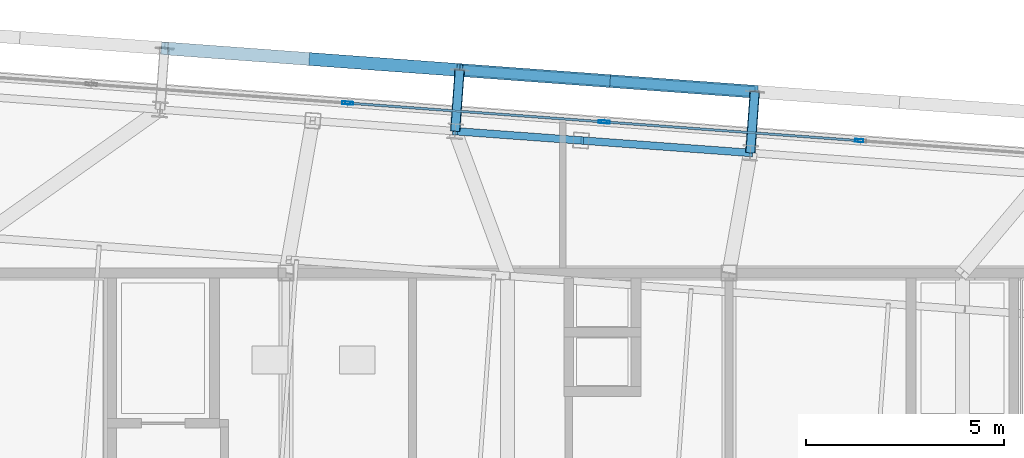
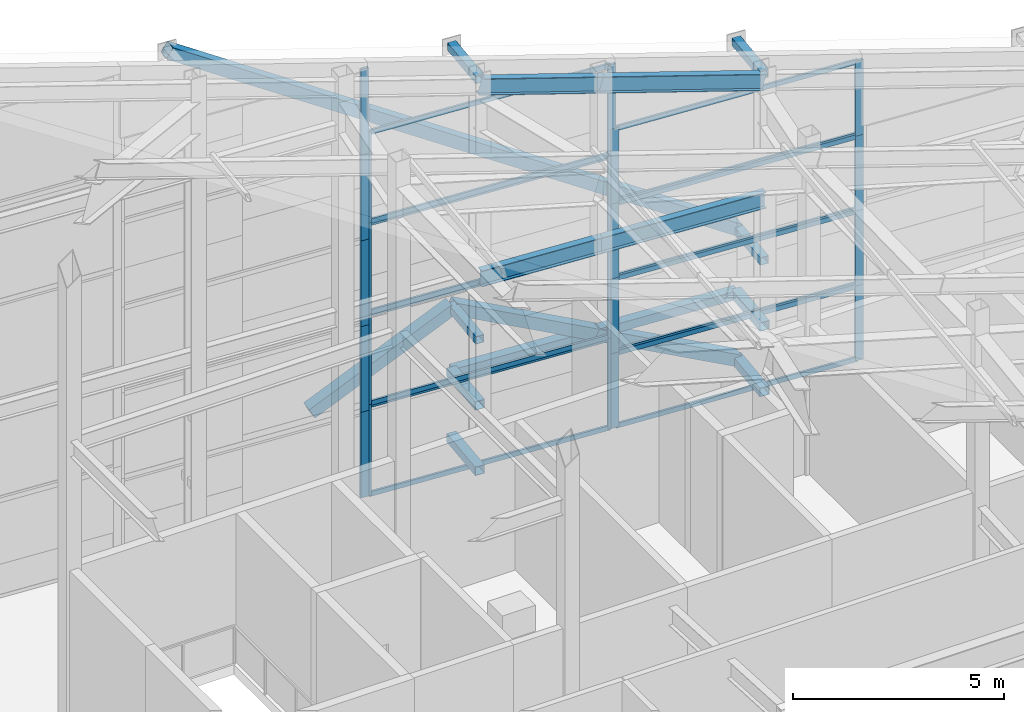
# One storey, part 29 of 56: 50 members, 4 beams, 13 elements without a shape of their own.
"""IFC4 building model written with IfcOpenShell, lengths in metres."""

from ifc_helpers import new_model, si_unit, direction, frame, origin, origin_2d, place, context, subcontext, project, spatial, hollow_rectangle, i_section, extrude, source, transform, mapped, material, layer, layer_set, material_profile, profile_set, type_object, element, aggregate, save


model = new_model("IFC4")

# Units and contexts
model_context = context("Model", 3, precision=1e-05, world=origin(), true_north=direction((0.0, 1.0)))
body_context = subcontext(model_context, "Body", "Model", "MODEL_VIEW")
ifc_project = project(units=[si_unit("LENGTHUNIT", "METRE"), si_unit("AREAUNIT", "SQUARE_METRE"), si_unit("VOLUMEUNIT", "CUBIC_METRE"), si_unit("PLANEANGLEUNIT", "RADIAN"), si_unit("MASSUNIT", "GRAM", prefix="KILO")], contexts=[model_context])

# Site, building, storey
site_placement = place(None, origin())
site = spatial("IfcSite", under=ifc_project, at=site_placement, CompositionType="ELEMENT")
building_placement = place(site_placement, origin())
building = spatial("IfcBuilding", under=site, at=building_placement, Name="Taldren Reach Tower", CompositionType="ELEMENT")
storey_placement = place(building_placement, frame((0.0, 0.0, 253.050048828125)))
storey = spatial("IfcBuildingStorey", under=building, at=storey_placement, Name="L77", CompositionType="ELEMENT", Elevation=253.050048828125)

# Members
ifc_material_1 = material(Name="Steel Gr 350 (C350L0)", Category="steel")
ifc_material_profile_1 = material_profile(ifc_material_1, hollow_rectangle(XDim=0.25, YDim=0.25, WallThickness=0.010009765625, at=origin_2d()), Name="250x250x10.0SHS")
ifc_profile_set_1 = profile_set([ifc_material_profile_1], Name="Steel Gr 350 (C350L0)")
member_type_1 = type_object("IfcMemberType", Name="MB-POST250", PredefinedType="POST", material=ifc_profile_set_1)
shared_shape_1 = source(origin(), body_context, "Body", "SweptSolid", [
    extrude(hollow_rectangle(XDim=0.25, YDim=0.25, WallThickness=0.010009765625, at=origin_2d()), origin(), (0.0, 0.0, 1.0), 1.550048828125),
])
for number, where, z_axis, x_axis, name in (
    (1, (32.279541015625, 35.583251953125, 0.219970703125), (0.07323929162, 0.997314396849, 0.0), (-0.997314396849, 0.07323929162, 0.0), "Exoskeleton base diaphragm tie strut B5-N3 L77"),
    (2, (39.739501953125, 35.035400390625, 0.219970703125), (0.07323929162, 0.997314396849, 0.0), (-0.997314396849, 0.07323929162, 0.0), "Exoskeleton base diaphragm tie strut B5-N4 L77"),
    (3, (32.279541015625, 35.583251953125, 2.10986328125), (0.07323929162, 0.997314396849, 0.0), (-0.997314396849, 0.07323929162, 0.0), "Exoskeleton mid-tier diaphragm tie B5-N3 L77"),
    (4, (39.739501953125, 35.035400390625, 2.10986328125), (0.07323929162, 0.997314396849, 0.0), (-0.997314396849, 0.07323929162, 0.0), "Exoskeleton mid-tier diaphragm tie B5-N4 L77"),
):
    element("IfcMember", number, at=place(storey_placement, frame(where, z_axis=z_axis, x_axis=x_axis)), inside=storey, type_object=member_type_1, Name=name, PredefinedType="POST", context=body_context, shape_type="MappedRepresentation", body=[
        mapped(shared_shape_1, transform((0.0, 0.0, 0.0), scale=1.0)),
    ])
ifc_material_2 = material(Name="Steel Gr 450 (C450L0)", Category="steel")
ifc_material_profile_2 = material_profile(ifc_material_2, hollow_rectangle(XDim=0.219970703125, YDim=0.219970703125, WallThickness=0.00830078125, at=origin_2d()), Name="220x220x8.2SHS")
ifc_profile_set_2 = profile_set([ifc_material_profile_2], Name="Steel Gr 450 (C450L0)")
member_type_2 = type_object("IfcMemberType", Name="MB-TIE219", PredefinedType="STRUT", material=ifc_profile_set_2)
shared_shape_2 = source(origin(), body_context, "Body", "SweptSolid", [
    extrude(hollow_rectangle(XDim=0.219970703125, YDim=0.219970703125, WallThickness=0.00830078125, at=origin_2d()), origin(), (0.0, 0.0, 1.0), 1.550048828125),
])
for number, where, z_axis, x_axis, name in (
    (5, (32.279541015625, 35.583251953125, 11.52197265625), (0.07323929162, 0.997314396849, 0.0), (-0.997314396849, 0.07323929162, 0.0), "Exoskeleton diaphragm tie strut B5-N3 L77"),
    (6, (39.739501953125, 35.035400390625, 9.3779296875), (0.07323929162, 0.997314396849, 0.0), (-0.997314396849, 0.07323929162, 0.0), "Exoskeleton diaphragm tie strut B5-N4 L77"),
    (7, (32.279541015625, 35.583251953125, 4.0), (0.07323929162, 0.997314396849, 0.0), (-0.997314396849, 0.07323929162, 0.0), "Crown exoskeleton mid-tier tie strut B5-N3"),
    (8, (39.739501953125, 35.035400390625, 4.0), (0.07323929162, 0.997314396849, 0.0), (-0.997314396849, 0.07323929162, 0.0), "Crown exoskeleton mid-tier tie strut B5-N4"),
):
    element("IfcMember", number, at=place(storey_placement, frame(where, z_axis=z_axis, x_axis=x_axis)), inside=storey, type_object=member_type_2, Name=name, PredefinedType="STRUT", context=body_context, shape_type="MappedRepresentation", body=[
        mapped(shared_shape_2, transform((0.0, 0.0, 0.0), scale=1.0)),
    ])
shared_shape_3 = source(origin(), body_context, "Body", "SweptSolid", [
    extrude(hollow_rectangle(XDim=0.25, YDim=0.25, WallThickness=0.010009765625, at=origin_2d()), origin(), (0.0, 0.0, 1.0), 7.47998046875),
])
member_1_placement = place(storey_placement, frame((32.39306640625, 37.129150390625, 2.10986328125), z_axis=(0.997314220642, -0.07324169103, 0.0), x_axis=(0.07324169103, 0.997314220642, 0.0)))
element("IfcMember", 9, at=member_1_placement, inside=storey, type_object=member_type_1, Name="Exoskeleton mid-height ring chord B5-N3 L77", PredefinedType="POST", context=body_context, shape_type="MappedRepresentation", body=[
    mapped(shared_shape_3, transform((0.0, 0.0, 0.0), scale=1.0)),
])

# Beams
ifc_material_3 = material(Name="Steel Gr 350 (350PLUS)", Category="steel")
ifc_material_profile_3 = material_profile(ifc_material_3, i_section(OverallWidth=0.19091796875, OverallDepth=0.4599609375, WebThickness=0.010009765625, FlangeThickness=0.01611328125, at=origin_2d()), Name="460UB82.1")
ifc_profile_set_3 = profile_set([ifc_material_profile_3], Name="Steel Gr 350 (350PLUS)")
beam_type = type_object("IfcBeamType", Name="BM-UB460A", PredefinedType="BEAM", material=ifc_profile_set_3)
shared_shape_4 = source(origin(), body_context, "Body", "SweptSolid", [
    extrude(i_section(OverallWidth=0.19091796875, OverallDepth=0.4599609375, WebThickness=0.010009765625, FlangeThickness=0.01611328125, at=origin_2d()), origin(), (0.0, 0.0, 1.0), 3.318359375),
])
beam_1_placement = place(storey_placement, frame((32.279541015625, 35.583251953125, 11.34765625), z_axis=(0.958711784846, -0.07040804068, -0.275525718229), x_axis=(0.073243006424, 0.99731412404, 0.0)))
element("IfcBeam", 10, at=beam_1_placement, inside=storey, type_object=beam_type, Name="Crown sloped perimeter rake girder N4", PredefinedType="BEAM", context=body_context, shape_type="MappedRepresentation", body=[
    mapped(shared_shape_4, transform((0.0, 0.0, 0.0), scale=1.0)),
])
shared_shape_5 = source(origin(), body_context, "Body", "SweptSolid", [
    extrude(i_section(OverallWidth=0.19091796875, OverallDepth=0.4599609375, WebThickness=0.010009765625, FlangeThickness=0.01611328125, at=origin_2d()), origin(), (0.0, 0.0, 1.0), 4.462890625),
])
beam_2_placement = place(storey_placement, frame((35.4609375, 35.349609375, 10.433349609375), z_axis=(0.958690803724, -0.070404283275, -0.275599672991), x_axis=(0.073240712948, 0.997314292471, 0.0)))
element("IfcBeam", 11, at=beam_2_placement, inside=storey, type_object=beam_type, Name="Crown sloped perimeter rake girder N5", PredefinedType="BEAM", context=body_context, shape_type="MappedRepresentation", body=[
    mapped(shared_shape_5, transform((0.0, 0.0, 0.0), scale=1.0)),
])
shared_shape_6 = source(origin(), body_context, "Body", "SweptSolid", [
    extrude(i_section(OverallWidth=0.19091796875, OverallDepth=0.4599609375, WebThickness=0.010009765625, FlangeThickness=0.01611328125, at=origin_2d()), origin(), (0.0, 0.0, 1.0), 4.2900390625),
])
beam_3_placement = place(storey_placement, frame((39.739501953125, 35.035400390625, 5.800048828125), z_axis=(-0.997314292471, 0.073240712948, 0.0), x_axis=(-0.073240712948, -0.997314292471, 0.0)))
element("IfcBeam", 12, at=beam_3_placement, inside=storey, type_object=beam_type, Name="Crown perimeter wind girt LO N4-PJN2", PredefinedType="BEAM", context=body_context, shape_type="MappedRepresentation", body=[
    mapped(shared_shape_6, transform((0.0, 0.0, 0.0), scale=1.0)),
])
shared_shape_7 = source(origin(), body_context, "Body", "SweptSolid", [
    extrude(i_section(OverallWidth=0.19091796875, OverallDepth=0.4599609375, WebThickness=0.010009765625, FlangeThickness=0.01611328125, at=origin_2d()), origin(), (0.0, 0.0, 1.0), 3.18994140625),
])
beam_4_placement = place(storey_placement, frame((35.4609375, 35.349609375, 5.800048828125), z_axis=(-0.99731412404, 0.073243006424, 0.0), x_axis=(-0.073243006424, -0.99731412404, 0.0)))
element("IfcBeam", 13, at=beam_4_placement, inside=storey, type_object=beam_type, Name="Crown perimeter wind girt LO PJN2-N3", PredefinedType="BEAM", context=body_context, shape_type="MappedRepresentation", body=[
    mapped(shared_shape_7, transform((0.0, 0.0, 0.0), scale=1.0)),
])

# Members
ifc_material_profile_4 = material_profile(ifc_material_2, hollow_rectangle(XDim=0.324951171875, YDim=0.324951171875, WallThickness=0.0126953125, at=origin_2d()), Name="325x325x12.7SHS")
ifc_profile_set_4 = profile_set([ifc_material_profile_4], Name="Steel Gr 450 (C450L0)")
member_type_3 = type_object("IfcMemberType", Name="MB-BR324", PredefinedType="BRACE", material=ifc_profile_set_4)
shared_shape_8 = source(origin(), body_context, "Body", "SweptSolid", [
    extrude(hollow_rectangle(XDim=0.324951171875, YDim=0.324951171875, WallThickness=0.0126953125, at=origin_2d()), origin(), (0.0, 0.0, 1.0), 4.1904296875),
])
for number, where, z_axis, x_axis, name in (
    (14, (28.6630859375, 37.403076171875, 2.10986328125), (0.890100973194, -0.065368064663, 0.451051298237), (0.07324169103, 0.997314220642, 0.0), "Exoskeleton Diagrid Brace B5-N2 L77"),
    (15, (39.85302734375, 36.581298828125, 0.219970703125), (-0.890124363023, 0.065369782387, 0.451004889001), (-0.07324169103, -0.997314220642, 0.0), "Exoskeleton Diagrid Brace B5-N3 L77"),
    (16, (36.123046875, 36.855224609375, 2.10986328125), (-0.890100973194, 0.065368064663, 0.451051298237), (-0.07324169103, -0.997314220642, 0.0), "Exoskeleton Diagrid Brace B5-N3 L77"),
):
    element("IfcMember", number, at=place(storey_placement, frame(where, z_axis=z_axis, x_axis=x_axis)), inside=storey, type_object=member_type_3, Name=name, PredefinedType="BRACE", context=body_context, shape_type="MappedRepresentation", body=[
        mapped(shared_shape_8, transform((0.0, 0.0, 0.0), scale=1.0)),
    ])
shared_shape_9 = source(origin(), body_context, "Body", "SweptSolid", [
    extrude(hollow_rectangle(XDim=0.324951171875, YDim=0.324951171875, WallThickness=0.0126953125, at=origin_2d()), origin(), (0.0, 0.0, 1.0), 17.811279296875),
])
member_2_placement = place(storey_placement, frame((39.85302734375, 36.581298828125, 4.0), z_axis=(-0.83766766002, 0.061517418153, 0.542704798782), x_axis=(-0.07324169103, -0.997314220642, 0.0)))
element("IfcMember", 17, at=member_2_placement, inside=storey, type_object=member_type_3, Name="Slanted Crown Exoskeleton Diagrid Brace N2", PredefinedType="BRACE", context=body_context, shape_type="MappedRepresentation", body=[
    mapped(shared_shape_9, transform((0.0, 0.0, 0.0), scale=1.0)),
])

# Curtain wall, members
ifc_material_4 = material(Name="Aluminium and Low-E Glass Unitised System", Category="aluminium")
ifc_layer = layer(ifc_material_4, 0.159912109375)
ifc_layer_set = layer_set([ifc_layer], Name="Aluminium and Low-E Glass Unitised System")
curtain_wall_type = type_object("IfcCurtainWallType", Name="CW-SYS-8", PredefinedType="NOTDEFINED", material=ifc_layer_set)
curtain_wall_1_placement = place(storey_placement, origin())
curtain_wall_1 = element("IfcCurtainWall", 18, at=curtain_wall_1_placement, inside=storey, type_object=curtain_wall_type, Name="Unitised curtain wall CW8-L77-N4", PredefinedType="NOTDEFINED")
ifc_material_5 = material(Name="Anodised Aluminium 6063-T6", Category="aluminium")
ifc_material_profile_5 = material_profile(ifc_material_5, hollow_rectangle(XDim=0.06005859375, YDim=0.135009765625, WallThickness=0.00341796875, at=origin_2d()), Name="ALU-135x60x3.5RHS")
ifc_profile_set_5 = profile_set([ifc_material_profile_5], Name="Anodised Aluminium 6063-T6")
member_type_4 = type_object("IfcMemberType", Name="CW-TRN-150", PredefinedType="USERDEFINED", material=ifc_profile_set_5)
shared_shape_10 = source(origin(), body_context, "Body", "SweptSolid", [
    extrude(hollow_rectangle(XDim=0.06005859375, YDim=0.135009765625, WallThickness=0.00341796875, at=origin_2d()), origin(), (0.0, 0.0, 1.0), 6.349853515625),
])
member_3_placement = place(storey_placement, frame((36.121826171875, 35.8125, 0.030029296875), z_axis=(0.997314030932, -0.073244274217, 0.0), x_axis=(0.073244274217, 0.997314030932, 0.0)))
member_3 = element("IfcMember", 19, at=member_3_placement, type_object=member_type_4, Name="CW-8 transom 1.1", ObjectType="TRANSOM", PredefinedType="USERDEFINED", context=body_context, shape_type="MappedRepresentation", body=[
    mapped(shared_shape_10, transform((0.0, 0.0, 0.0), scale=1.0)),
])
member_4_placement = place(storey_placement, frame((36.121826171875, 35.8125, 2.1328125), z_axis=(0.997314030932, -0.073244274217, 0.0), x_axis=(0.073244274217, 0.997314030932, 0.0)))
member_4 = element("IfcMember", 20, at=member_4_placement, type_object=member_type_4, Name="CW-8 transom 1.2", ObjectType="TRANSOM", PredefinedType="USERDEFINED", context=body_context, shape_type="MappedRepresentation", body=[
    mapped(shared_shape_10, transform((0.0, 0.0, 0.0), scale=1.0)),
])

curtain_wall_2_placement = place(storey_placement, origin())
curtain_wall_2 = element("IfcCurtainWall", 21, at=curtain_wall_2_placement, inside=storey, type_object=curtain_wall_type, Name="Unitised curtain wall CW8-L77-N4-T2", PredefinedType="NOTDEFINED")
member_5_placement = place(storey_placement, frame((36.121826171875, 35.8125, 2.19287109375), z_axis=(0.997314030932, -0.073244274217, 0.0), x_axis=(0.073244274217, 0.997314030932, 0.0)))
member_5 = element("IfcMember", 22, at=member_5_placement, type_object=member_type_4, Name="CW-8 transom 1.1", ObjectType="TRANSOM", PredefinedType="USERDEFINED", context=body_context, shape_type="MappedRepresentation", body=[
    mapped(shared_shape_10, transform((0.0, 0.0, 0.0), scale=1.0)),
])
member_6_placement = place(storey_placement, frame((36.121826171875, 35.8125, 4.295654296875), z_axis=(0.997314030932, -0.073244274217, 0.0), x_axis=(0.073244274217, 0.997314030932, 0.0)))
member_6 = element("IfcMember", 23, at=member_6_placement, type_object=member_type_4, Name="CW-8 transom 1.2", ObjectType="TRANSOM", PredefinedType="USERDEFINED", context=body_context, shape_type="MappedRepresentation", body=[
    mapped(shared_shape_10, transform((0.0, 0.0, 0.0), scale=1.0)),
])

curtain_wall_3_placement = place(storey_placement, origin())
curtain_wall_3 = element("IfcCurtainWall", 24, at=curtain_wall_3_placement, inside=storey, type_object=curtain_wall_type, Name="Unitised curtain wall CW8-L77-N4-T3", PredefinedType="NOTDEFINED")
member_7_placement = place(storey_placement, frame((36.121826171875, 35.8125, 4.355712890625), z_axis=(0.997314030932, -0.073244274217, 0.0), x_axis=(0.073244274217, 0.997314030932, 0.0)))
member_7 = element("IfcMember", 25, at=member_7_placement, type_object=member_type_4, Name="CW-8 transom 1.1", ObjectType="TRANSOM", PredefinedType="USERDEFINED", context=body_context, shape_type="MappedRepresentation", body=[
    mapped(shared_shape_10, transform((0.0, 0.0, 0.0), scale=1.0)),
])
member_8_placement = place(storey_placement, frame((36.121826171875, 35.8125, 6.458740234375), z_axis=(0.997314030932, -0.073244274217, 0.0), x_axis=(0.073244274217, 0.997314030932, 0.0)))
member_8 = element("IfcMember", 26, at=member_8_placement, type_object=member_type_4, Name="CW-8 transom 1.2", ObjectType="TRANSOM", PredefinedType="USERDEFINED", context=body_context, shape_type="MappedRepresentation", body=[
    mapped(shared_shape_10, transform((0.0, 0.0, 0.0), scale=1.0)),
])

curtain_wall_4_placement = place(storey_placement, origin())
curtain_wall_4 = element("IfcCurtainWall", 27, at=curtain_wall_4_placement, inside=storey, type_object=curtain_wall_type, Name="Unitised curtain wall CW8-L77-N4-T4", PredefinedType="NOTDEFINED")
member_9_placement = place(storey_placement, frame((36.121826171875, 35.8125, 6.5185546875), z_axis=(0.997314030932, -0.073244274217, 0.0), x_axis=(0.073244274217, 0.997314030932, 0.0)))
member_9 = element("IfcMember", 28, at=member_9_placement, type_object=member_type_4, Name="CW-8 transom 1.1", ObjectType="TRANSOM", PredefinedType="USERDEFINED", context=body_context, shape_type="MappedRepresentation", body=[
    mapped(shared_shape_10, transform((0.0, 0.0, 0.0), scale=1.0)),
])
member_10_placement = place(storey_placement, frame((36.121826171875, 35.8125, 8.62158203125), z_axis=(0.997314030932, -0.073244274217, 0.0), x_axis=(0.073244274217, 0.997314030932, 0.0)))
member_10 = element("IfcMember", 29, at=member_10_placement, type_object=member_type_4, Name="CW-8 transom 1.2", ObjectType="TRANSOM", PredefinedType="USERDEFINED", context=body_context, shape_type="MappedRepresentation", body=[
    mapped(shared_shape_10, transform((0.0, 0.0, 0.0), scale=1.0)),
])

# Curtain wall, member
curtain_wall_5_placement = place(storey_placement, origin())
curtain_wall_5 = element("IfcCurtainWall", 30, at=curtain_wall_5_placement, inside=storey, type_object=curtain_wall_type, Name="Unitised curtain wall CW8-L77-N2", PredefinedType="NOTDEFINED")
ifc_material_profile_6 = material_profile(ifc_material_5, hollow_rectangle(XDim=0.074951171875, YDim=0.2099609375, WallThickness=0.00439453125, at=origin_2d()), Name="ALU-210x75x4.5RHS")
ifc_profile_set_6 = profile_set([ifc_material_profile_6], Name="Anodised Aluminium 6063-T6")
member_type_5 = type_object("IfcMemberType", Name="CW-MUL-200", PredefinedType="MULLION", material=ifc_profile_set_6)
shared_shape_11 = source(origin(), body_context, "Body", "SweptSolid", [
    extrude(hollow_rectangle(XDim=0.074951171875, YDim=0.2099609375, WallThickness=0.00439453125, at=origin_2d()), origin(), (0.0, 0.0, 1.0), 2.4755859375),
])
member_11_placement = place(storey_placement, frame((29.52685546875, 36.296630859375, 0.0), z_axis=(0.0, 0.0, 1.0), x_axis=(0.073238393838, 0.997314462779, 0.0)))
member_11 = element("IfcMember", 31, at=member_11_placement, type_object=member_type_5, Name="CW-8 mullion 2", PredefinedType="MULLION", context=body_context, shape_type="MappedRepresentation", body=[
    mapped(shared_shape_11, transform((0.0, 0.0, 0.0), scale=1.0)),
])
aggregate(curtain_wall_5, [member_11])

curtain_wall_6_placement = place(storey_placement, origin())
curtain_wall_6 = element("IfcCurtainWall", 32, at=curtain_wall_6_placement, inside=storey, type_object=curtain_wall_type, Name="Unitised curtain wall CW8-L77-N2-T2", PredefinedType="NOTDEFINED")
member_12_placement = place(storey_placement, frame((29.52685546875, 36.296630859375, 2.4755859375), z_axis=(0.0, 0.0, 1.0), x_axis=(0.073238393838, 0.997314462779, 0.0)))
member_12 = element("IfcMember", 33, at=member_12_placement, type_object=member_type_5, Name="CW-8 mullion 2", PredefinedType="MULLION", context=body_context, shape_type="MappedRepresentation", body=[
    mapped(shared_shape_11, transform((0.0, 0.0, 0.0), scale=1.0)),
])
aggregate(curtain_wall_6, [member_12])

curtain_wall_7_placement = place(storey_placement, origin())
curtain_wall_7 = element("IfcCurtainWall", 34, at=curtain_wall_7_placement, inside=storey, type_object=curtain_wall_type, Name="Unitised curtain wall CW8-L77-N2-T4", PredefinedType="NOTDEFINED")
member_13_placement = place(storey_placement, frame((29.52685546875, 36.296630859375, 7.427001953125), z_axis=(0.0, 0.0, 1.0), x_axis=(0.073238393838, 0.997314462779, 0.0)))
member_13 = element("IfcMember", 35, at=member_13_placement, type_object=member_type_5, Name="CW-8 mullion 2", PredefinedType="MULLION", context=body_context, shape_type="MappedRepresentation", body=[
    mapped(shared_shape_11, transform((0.0, 0.0, 0.0), scale=1.0)),
])
aggregate(curtain_wall_7, [member_13])

curtain_wall_8_placement = place(storey_placement, origin())
curtain_wall_8 = element("IfcCurtainWall", 36, at=curtain_wall_8_placement, inside=storey, type_object=curtain_wall_type, Name="Unitised curtain wall CW8-L77-N2-T5", PredefinedType="NOTDEFINED")
member_14_placement = place(storey_placement, frame((29.52685546875, 36.296630859375, 9.902587890625), z_axis=(0.0, 0.0, 1.0), x_axis=(0.073238393838, 0.997314462779, 0.0)))
member_14 = element("IfcMember", 37, at=member_14_placement, type_object=member_type_5, Name="CW-8 mullion 2", PredefinedType="MULLION", context=body_context, shape_type="MappedRepresentation", body=[
    mapped(shared_shape_11, transform((0.0, 0.0, 0.0), scale=1.0)),
])
aggregate(curtain_wall_8, [member_14])

# Curtain wall, members
curtain_wall_9_placement = place(storey_placement, origin())
curtain_wall_9 = element("IfcCurtainWall", 38, at=curtain_wall_9_placement, inside=storey, type_object=curtain_wall_type, Name="Unitised curtain wall CW8-L77-N3", PredefinedType="NOTDEFINED")
shared_shape_12 = source(origin(), body_context, "Body", "SweptSolid", [
    extrude(hollow_rectangle(XDim=0.06005859375, YDim=0.135009765625, WallThickness=0.00341796875, at=origin_2d()), origin(), (0.0, 0.0, 1.0), 6.35009765625),
])
member_15_placement = place(storey_placement, frame((29.63916015625, 36.28857421875, 0.030029296875), z_axis=(0.997314237186, -0.073241465761, 0.0), x_axis=(0.073241465761, 0.997314237186, 0.0)))
member_15 = element("IfcMember", 39, at=member_15_placement, type_object=member_type_4, Name="CW-8 transom 1.1", ObjectType="TRANSOM", PredefinedType="USERDEFINED", context=body_context, shape_type="MappedRepresentation", body=[
    mapped(shared_shape_12, transform((0.0, 0.0, 0.0), scale=1.0)),
])
member_16_placement = place(storey_placement, frame((29.63916015625, 36.28857421875, 2.5986328125), z_axis=(0.997314237186, -0.073241465761, 0.0), x_axis=(0.073241465761, 0.997314237186, 0.0)))
member_16 = element("IfcMember", 40, at=member_16_placement, type_object=member_type_4, Name="CW-8 transom 1.2", ObjectType="TRANSOM", PredefinedType="USERDEFINED", context=body_context, shape_type="MappedRepresentation", body=[
    mapped(shared_shape_12, transform((0.0, 0.0, 0.0), scale=1.0)),
])

curtain_wall_10_placement = place(storey_placement, origin())
curtain_wall_10 = element("IfcCurtainWall", 41, at=curtain_wall_10_placement, inside=storey, type_object=curtain_wall_type, Name="Unitised curtain wall CW8-L77-N3-T2", PredefinedType="NOTDEFINED")
member_17_placement = place(storey_placement, frame((29.63916015625, 36.28857421875, 2.65869140625), z_axis=(0.997314237186, -0.073241465761, 0.0), x_axis=(0.073241465761, 0.997314237186, 0.0)))
member_17 = element("IfcMember", 42, at=member_17_placement, type_object=member_type_4, Name="CW-8 transom 1.1", ObjectType="TRANSOM", PredefinedType="USERDEFINED", context=body_context, shape_type="MappedRepresentation", body=[
    mapped(shared_shape_12, transform((0.0, 0.0, 0.0), scale=1.0)),
])
member_18_placement = place(storey_placement, frame((29.63916015625, 36.28857421875, 5.227294921875), z_axis=(0.997314237186, -0.073241465761, 0.0), x_axis=(0.073241465761, 0.997314237186, 0.0)))
member_18 = element("IfcMember", 43, at=member_18_placement, type_object=member_type_4, Name="CW-8 transom 1.2", ObjectType="TRANSOM", PredefinedType="USERDEFINED", context=body_context, shape_type="MappedRepresentation", body=[
    mapped(shared_shape_12, transform((0.0, 0.0, 0.0), scale=1.0)),
])

curtain_wall_11_placement = place(storey_placement, origin())
curtain_wall_11 = element("IfcCurtainWall", 44, at=curtain_wall_11_placement, inside=storey, type_object=curtain_wall_type, Name="Unitised curtain wall CW8-L77-N3-T3", PredefinedType="NOTDEFINED")
member_19_placement = place(storey_placement, frame((29.63916015625, 36.28857421875, 5.287353515625), z_axis=(0.997314237186, -0.073241465761, 0.0), x_axis=(0.073241465761, 0.997314237186, 0.0)))
member_19 = element("IfcMember", 45, at=member_19_placement, type_object=member_type_4, Name="CW-8 transom 1.1", ObjectType="TRANSOM", PredefinedType="USERDEFINED", context=body_context, shape_type="MappedRepresentation", body=[
    mapped(shared_shape_12, transform((0.0, 0.0, 0.0), scale=1.0)),
])
member_20_placement = place(storey_placement, frame((29.63916015625, 36.28857421875, 7.856201171875), z_axis=(0.997314237186, -0.073241465761, 0.0), x_axis=(0.073241465761, 0.997314237186, 0.0)))
member_20 = element("IfcMember", 46, at=member_20_placement, type_object=member_type_4, Name="CW-8 transom 1.2", ObjectType="TRANSOM", PredefinedType="USERDEFINED", context=body_context, shape_type="MappedRepresentation", body=[
    mapped(shared_shape_12, transform((0.0, 0.0, 0.0), scale=1.0)),
])

curtain_wall_12_placement = place(storey_placement, origin())
curtain_wall_12 = element("IfcCurtainWall", 47, at=curtain_wall_12_placement, inside=storey, type_object=curtain_wall_type, Name="Unitised curtain wall CW8-L77-N3-T4", PredefinedType="NOTDEFINED")
member_21_placement = place(storey_placement, frame((29.63916015625, 36.28857421875, 7.916015625), z_axis=(0.997314237186, -0.073241465761, 0.0), x_axis=(0.073241465761, 0.997314237186, 0.0)))
member_21 = element("IfcMember", 48, at=member_21_placement, type_object=member_type_4, Name="CW-8 transom 1.1", ObjectType="TRANSOM", PredefinedType="USERDEFINED", context=body_context, shape_type="MappedRepresentation", body=[
    mapped(shared_shape_12, transform((0.0, 0.0, 0.0), scale=1.0)),
])
member_22_placement = place(storey_placement, frame((29.63916015625, 36.28857421875, 10.48486328125), z_axis=(0.997314237186, -0.073241465761, 0.0), x_axis=(0.073241465761, 0.997314237186, 0.0)))
member_22 = element("IfcMember", 49, at=member_22_placement, type_object=member_type_4, Name="CW-8 transom 1.2", ObjectType="TRANSOM", PredefinedType="USERDEFINED", context=body_context, shape_type="MappedRepresentation", body=[
    mapped(shared_shape_12, transform((0.0, 0.0, 0.0), scale=1.0)),
])

# Curtain wall, member
curtain_wall_13_placement = place(storey_placement, origin())
curtain_wall_13 = element("IfcCurtainWall", 50, at=curtain_wall_13_placement, inside=storey, type_object=curtain_wall_type, Name="Unitised curtain wall CW8-L77-N2-T3", PredefinedType="NOTDEFINED")
shared_shape_13 = source(origin(), body_context, "Body", "SweptSolid", [
    extrude(hollow_rectangle(XDim=0.074951171875, YDim=0.2099609375, WallThickness=0.00439453125, at=origin_2d()), origin(), (0.0, 0.0, 1.0), 2.475830078125),
])
member_23_placement = place(storey_placement, frame((29.52685546875, 36.296630859375, 4.951171875), z_axis=(0.0, 0.0, 1.0), x_axis=(0.073238393838, 0.997314462779, 0.0)))
member_23 = element("IfcMember", 51, at=member_23_placement, type_object=member_type_5, Name="CW-8 mullion 2", PredefinedType="MULLION", context=body_context, shape_type="MappedRepresentation", body=[
    mapped(shared_shape_13, transform((0.0, 0.0, 0.0), scale=1.0)),
])
aggregate(curtain_wall_13, [member_23])

# Member
shared_shape_14 = source(origin(), body_context, "Body", "SweptSolid", [
    extrude(hollow_rectangle(XDim=0.074951171875, YDim=0.2099609375, WallThickness=0.00439453125, at=origin_2d()), origin(), (0.0, 0.0, 1.0), 2.628662109375),
])
member_24_placement = place(storey_placement, frame((29.601806640625, 36.291259765625, 0.0), z_axis=(0.0, 0.0, 1.0), x_axis=(0.073236975997, 0.997314566898, 0.0)))
member_24 = element("IfcMember", 52, at=member_24_placement, type_object=member_type_5, Name="CW-8 mullion 1", PredefinedType="MULLION", context=body_context, shape_type="MappedRepresentation", body=[
    mapped(shared_shape_14, transform((0.0, 0.0, 0.0), scale=1.0)),
])

member_25_placement = place(storey_placement, frame((36.009521484375, 35.82080078125, 0.0), z_axis=(0.0, 0.0, 1.0), x_axis=(0.073236975997, 0.997314566898, 0.0)))
member_25 = element("IfcMember", 53, at=member_25_placement, type_object=member_type_5, Name="CW-8 mullion 2", PredefinedType="MULLION", context=body_context, shape_type="MappedRepresentation", body=[
    mapped(shared_shape_14, transform((0.0, 0.0, 0.0), scale=1.0)),
])

aggregate(curtain_wall_9, [member_24, member_25, member_15, member_16])

member_26_placement = place(storey_placement, frame((29.601806640625, 36.291259765625, 2.628662109375), z_axis=(0.0, 0.0, 1.0), x_axis=(0.073236975997, 0.997314566898, 0.0)))
member_26 = element("IfcMember", 54, at=member_26_placement, type_object=member_type_5, Name="CW-8 mullion 1", PredefinedType="MULLION", context=body_context, shape_type="MappedRepresentation", body=[
    mapped(shared_shape_14, transform((0.0, 0.0, 0.0), scale=1.0)),
])

member_27_placement = place(storey_placement, frame((36.009521484375, 35.82080078125, 2.628662109375), z_axis=(0.0, 0.0, 1.0), x_axis=(0.073236975997, 0.997314566898, 0.0)))
member_27 = element("IfcMember", 55, at=member_27_placement, type_object=member_type_5, Name="CW-8 mullion 2", PredefinedType="MULLION", context=body_context, shape_type="MappedRepresentation", body=[
    mapped(shared_shape_14, transform((0.0, 0.0, 0.0), scale=1.0)),
])

aggregate(curtain_wall_10, [member_26, member_27, member_17, member_18])

member_28_placement = place(storey_placement, frame((29.601806640625, 36.291259765625, 7.88623046875), z_axis=(0.0, 0.0, 1.0), x_axis=(0.073236975997, 0.997314566898, 0.0)))
member_28 = element("IfcMember", 56, at=member_28_placement, type_object=member_type_5, Name="CW-8 mullion 1", PredefinedType="MULLION", context=body_context, shape_type="MappedRepresentation", body=[
    mapped(shared_shape_14, transform((0.0, 0.0, 0.0), scale=1.0)),
])

member_29_placement = place(storey_placement, frame((36.009521484375, 35.82080078125, 7.88623046875), z_axis=(0.0, 0.0, 1.0), x_axis=(0.073236975997, 0.997314566898, 0.0)))
member_29 = element("IfcMember", 57, at=member_29_placement, type_object=member_type_5, Name="CW-8 mullion 2", PredefinedType="MULLION", context=body_context, shape_type="MappedRepresentation", body=[
    mapped(shared_shape_14, transform((0.0, 0.0, 0.0), scale=1.0)),
])

aggregate(curtain_wall_12, [member_28, member_29, member_21, member_22])

shared_shape_15 = source(origin(), body_context, "Body", "SweptSolid", [
    extrude(hollow_rectangle(XDim=0.074951171875, YDim=0.2099609375, WallThickness=0.00439453125, at=origin_2d()), origin(), (0.0, 0.0, 1.0), 2.62890625),
])
member_30_placement = place(storey_placement, frame((29.601806640625, 36.291259765625, 5.25732421875), z_axis=(0.0, 0.0, 1.0), x_axis=(0.073236975997, 0.997314566898, 0.0)))
member_30 = element("IfcMember", 58, at=member_30_placement, type_object=member_type_5, Name="CW-8 mullion 1", PredefinedType="MULLION", context=body_context, shape_type="MappedRepresentation", body=[
    mapped(shared_shape_15, transform((0.0, 0.0, 0.0), scale=1.0)),
])

member_31_placement = place(storey_placement, frame((36.009521484375, 35.82080078125, 5.25732421875), z_axis=(0.0, 0.0, 1.0), x_axis=(0.073236975997, 0.997314566898, 0.0)))
member_31 = element("IfcMember", 59, at=member_31_placement, type_object=member_type_5, Name="CW-8 mullion 2", PredefinedType="MULLION", context=body_context, shape_type="MappedRepresentation", body=[
    mapped(shared_shape_15, transform((0.0, 0.0, 0.0), scale=1.0)),
])

aggregate(curtain_wall_11, [member_30, member_31, member_19, member_20])

shared_shape_16 = source(origin(), body_context, "Body", "SweptSolid", [
    extrude(hollow_rectangle(XDim=0.074951171875, YDim=0.2099609375, WallThickness=0.00439453125, at=origin_2d()), origin(), (0.0, 0.0, 1.0), 2.162841796875),
])
member_32_placement = place(storey_placement, frame((36.084228515625, 35.815185546875, 0.0), z_axis=(0.0, 0.0, 1.0), x_axis=(0.073238506213, 0.997314454527, 0.0)))
member_32 = element("IfcMember", 60, at=member_32_placement, type_object=member_type_5, Name="CW-8 mullion 1", PredefinedType="MULLION", context=body_context, shape_type="MappedRepresentation", body=[
    mapped(shared_shape_16, transform((0.0, 0.0, 0.0), scale=1.0)),
])

member_33_placement = place(storey_placement, frame((42.491943359375, 35.3447265625, 0.0), z_axis=(0.0, 0.0, 1.0), x_axis=(0.073238506213, 0.997314454527, 0.0)))
member_33 = element("IfcMember", 61, at=member_33_placement, type_object=member_type_5, Name="CW-8 mullion 2", PredefinedType="MULLION", context=body_context, shape_type="MappedRepresentation", body=[
    mapped(shared_shape_16, transform((0.0, 0.0, 0.0), scale=1.0)),
])

aggregate(curtain_wall_1, [member_32, member_33, member_3, member_4])

member_34_placement = place(storey_placement, frame((36.084228515625, 35.815185546875, 2.162841796875), z_axis=(0.0, 0.0, 1.0), x_axis=(0.073238506213, 0.997314454527, 0.0)))
member_34 = element("IfcMember", 62, at=member_34_placement, type_object=member_type_5, Name="CW-8 mullion 1", PredefinedType="MULLION", context=body_context, shape_type="MappedRepresentation", body=[
    mapped(shared_shape_16, transform((0.0, 0.0, 0.0), scale=1.0)),
])

member_35_placement = place(storey_placement, frame((42.491943359375, 35.3447265625, 2.162841796875), z_axis=(0.0, 0.0, 1.0), x_axis=(0.073238506213, 0.997314454527, 0.0)))
member_35 = element("IfcMember", 63, at=member_35_placement, type_object=member_type_5, Name="CW-8 mullion 2", PredefinedType="MULLION", context=body_context, shape_type="MappedRepresentation", body=[
    mapped(shared_shape_16, transform((0.0, 0.0, 0.0), scale=1.0)),
])

aggregate(curtain_wall_2, [member_34, member_35, member_5, member_6])

member_36_placement = place(storey_placement, frame((36.084228515625, 35.815185546875, 6.48876953125), z_axis=(0.0, 0.0, 1.0), x_axis=(0.073238506213, 0.997314454527, 0.0)))
member_36 = element("IfcMember", 64, at=member_36_placement, type_object=member_type_5, Name="CW-8 mullion 1", PredefinedType="MULLION", context=body_context, shape_type="MappedRepresentation", body=[
    mapped(shared_shape_16, transform((0.0, 0.0, 0.0), scale=1.0)),
])

member_37_placement = place(storey_placement, frame((42.491943359375, 35.3447265625, 6.48876953125), z_axis=(0.0, 0.0, 1.0), x_axis=(0.073238506213, 0.997314454527, 0.0)))
member_37 = element("IfcMember", 65, at=member_37_placement, type_object=member_type_5, Name="CW-8 mullion 2", PredefinedType="MULLION", context=body_context, shape_type="MappedRepresentation", body=[
    mapped(shared_shape_16, transform((0.0, 0.0, 0.0), scale=1.0)),
])

aggregate(curtain_wall_4, [member_36, member_37, member_9, member_10])

shared_shape_17 = source(origin(), body_context, "Body", "SweptSolid", [
    extrude(hollow_rectangle(XDim=0.074951171875, YDim=0.2099609375, WallThickness=0.00439453125, at=origin_2d()), origin(), (0.0, 0.0, 1.0), 2.1630859375),
])
member_38_placement = place(storey_placement, frame((36.084228515625, 35.815185546875, 4.32568359375), z_axis=(0.0, 0.0, 1.0), x_axis=(0.073238506213, 0.997314454527, 0.0)))
member_38 = element("IfcMember", 66, at=member_38_placement, type_object=member_type_5, Name="CW-8 mullion 1", PredefinedType="MULLION", context=body_context, shape_type="MappedRepresentation", body=[
    mapped(shared_shape_17, transform((0.0, 0.0, 0.0), scale=1.0)),
])

member_39_placement = place(storey_placement, frame((42.491943359375, 35.3447265625, 4.32568359375), z_axis=(0.0, 0.0, 1.0), x_axis=(0.073238506213, 0.997314454527, 0.0)))
member_39 = element("IfcMember", 67, at=member_39_placement, type_object=member_type_5, Name="CW-8 mullion 2", PredefinedType="MULLION", context=body_context, shape_type="MappedRepresentation", body=[
    mapped(shared_shape_17, transform((0.0, 0.0, 0.0), scale=1.0)),
])

aggregate(curtain_wall_3, [member_38, member_39, member_7, member_8])

save(model, "model.ifc")
